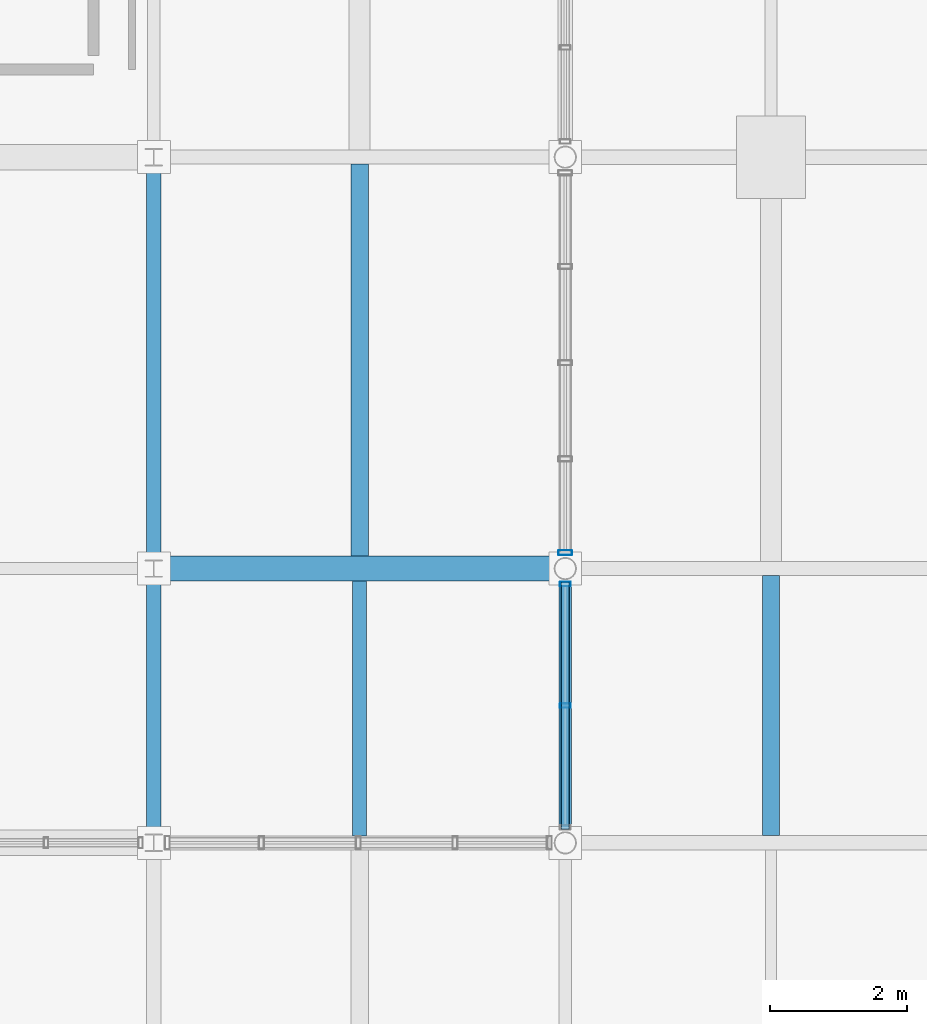
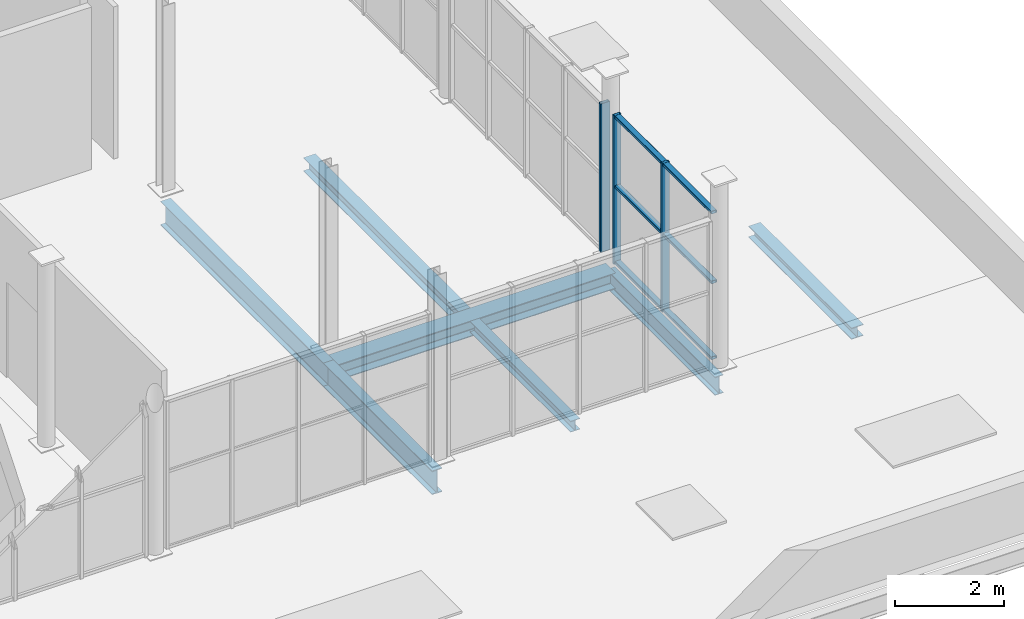
# One storey, part 9 of 27: 7 beams, 6 members, 2 elements without a shape of their own.
"""IFC4 building model written with IfcOpenShell, lengths in metres."""

from ifc_helpers import new_model, si_unit, direction, frame, origin, origin_2d, place, context, subcontext, project, spatial, hollow_rectangle, i_section, extrude, material, material_profile, profile_set, type_object, element, aggregate, save


model = new_model("IFC4")

# Units and contexts
model_context = context("Model", 3, precision=1e-05, world=origin(), true_north=direction((0.0, 1.0)))
body_context = subcontext(model_context, "Body", "Model", "MODEL_VIEW")
ifc_project = project(units=[si_unit("LENGTHUNIT", "METRE"), si_unit("AREAUNIT", "SQUARE_METRE"), si_unit("VOLUMEUNIT", "CUBIC_METRE"), si_unit("PLANEANGLEUNIT", "RADIAN"), si_unit("MASSUNIT", "GRAM", prefix="KILO")], contexts=[model_context])

# Site, building, storey
site_placement = place(None, origin())
site = spatial("IfcSite", under=ifc_project, at=site_placement, CompositionType="ELEMENT")
building_placement = place(site_placement, origin())
building = spatial("IfcBuilding", under=site, at=building_placement, Name="Verrall Gate Interchange", CompositionType="ELEMENT")
storey_placement = place(building_placement, frame((0.0, 0.0, 28.60009765625)))
storey = spatial("IfcBuildingStorey", under=building, at=storey_placement, Name="L07", CompositionType="ELEMENT", Elevation=28.60009765625)

# Beams
ifc_material_1 = material(Name="Structural Steel CSA G40.21 350W", Category="steel")
ifc_material_profile_1 = material_profile(ifc_material_1, i_section(OverallWidth=0.2109375, OverallDepth=0.5390625, WebThickness=0.01171875, FlangeThickness=0.018798828125, FilletRadius=0.013916015625, at=origin_2d()), Name="W530x109")
ifc_profile_set_1 = profile_set([ifc_material_profile_1], Name="Structural Steel CSA G40.21 350W")
beam_type_1 = type_object("IfcBeamType", Name="B-10 Structural Beam W530x109", PredefinedType="BEAM", material=ifc_profile_set_1)
beam_1_placement = place(storey_placement, frame((24.0, 12.0, -0.529541015625), z_axis=(0.0, 1.0, 0.0), x_axis=(-1.0, 0.0, 0.0)))
element("IfcBeam", 1, at=beam_1_placement, inside=storey, type_object=beam_type_1, Name="L07 Girder BM-L07-3292 (B-10)", PredefinedType="BEAM", context=body_context, shape_type="SweptSolid", body=[
    extrude(i_section(OverallWidth=0.2109375, OverallDepth=0.5390625, WebThickness=0.01171875, FlangeThickness=0.018798828125, FilletRadius=0.013916015625, at=origin_2d()), origin(), (0.0, 0.0, 1.0), 4.0),
])
beam_2_placement = place(storey_placement, frame((24.0, 16.0, -0.529541015625), z_axis=(0.0, 1.0, 0.0), x_axis=(-1.0, 0.0, 0.0)))
element("IfcBeam", 2, at=beam_2_placement, inside=storey, type_object=beam_type_1, Name="L07 Girder BM-L07-3293 (B-10)", PredefinedType="BEAM", context=body_context, shape_type="SweptSolid", body=[
    extrude(i_section(OverallWidth=0.2109375, OverallDepth=0.5390625, WebThickness=0.01171875, FlangeThickness=0.018798828125, FilletRadius=0.013916015625, at=origin_2d()), origin(), (0.0, 0.0, 1.0), 6.0),
])
ifc_material_2 = material(Name="Structural Steel CSA G40.21 350W", Category="steel")
ifc_material_profile_2 = material_profile(ifc_material_2, i_section(OverallWidth=0.178955078125, OverallDepth=0.409912109375, WebThickness=0.0087890625, FlangeThickness=0.014404296875, FilletRadius=0.011962890625, at=origin_2d()), Name="W410x67")
ifc_profile_set_2 = profile_set([ifc_material_profile_2], Name="Structural Steel CSA G40.21 350W")
beam_type_2 = type_object("IfcBeamType", Name="B-12 Structural Beam W410x67", PredefinedType="BEAM", material=ifc_profile_set_2)
beam_3_placement = place(storey_placement, frame((30.0, 12.0, -0.465087890625), z_axis=(0.0, 1.0, 0.0), x_axis=(-1.0, 0.0, 0.0)))
element("IfcBeam", 3, at=beam_3_placement, inside=storey, type_object=beam_type_2, Name="L07 Girder BM-L07-3301 (B-12)", PredefinedType="BEAM", context=body_context, shape_type="SweptSolid", body=[
    extrude(i_section(OverallWidth=0.178955078125, OverallDepth=0.409912109375, WebThickness=0.0087890625, FlangeThickness=0.014404296875, FilletRadius=0.011962890625, at=origin_2d()), origin(), (0.0, 0.0, 1.0), 4.0),
])
ifc_material_3 = material(Name="Structural Steel CSA G40.21 350W", Category="steel")
ifc_material_profile_3 = material_profile(ifc_material_3, i_section(OverallWidth=0.368896484375, OverallDepth=0.35595703125, WebThickness=0.01123046875, FlangeThickness=0.01806640625, FilletRadius=0.014892578125, at=origin_2d()), Name="W360x134")
ifc_profile_set_3 = profile_set([ifc_material_profile_3], Name="Structural Steel CSA G40.21 350W")
beam_type_3 = type_object("IfcBeamType", Name="B-13 Structural Beam W360x134", PredefinedType="BEAM", material=ifc_profile_set_3)
beam_4_placement = place(storey_placement, frame((24.0, 16.0, -0.43798828125), z_axis=(1.0, 0.0, 0.0), x_axis=(0.0, 1.0, 0.0)))
element("IfcBeam", 4, at=beam_4_placement, inside=storey, type_object=beam_type_3, Name="L07 Girder BM-L07-3233 (B-13)", PredefinedType="BEAM", context=body_context, shape_type="SweptSolid", body=[
    extrude(i_section(OverallWidth=0.368896484375, OverallDepth=0.35595703125, WebThickness=0.01123046875, FlangeThickness=0.01806640625, FilletRadius=0.014892578125, at=origin_2d()), origin(), (0.0, 0.0, 1.0), 6.0),
])

# Curtain wall, members
ifc_material_4 = material(Name="Thermally Broken Anodized Aluminium Curtain Wall Framing", Category="aluminium")
curtain_wall_type_1 = type_object("IfcCurtainWallType", Name="CW-51 Unitized Curtain Wall 3612x3340", PredefinedType="NOTDEFINED", material=ifc_material_4)
curtain_wall_1_placement = place(storey_placement, origin())
curtain_wall_1 = element("IfcCurtainWall", 5, at=curtain_wall_1_placement, inside=storey, type_object=curtain_wall_type_1, Name="L07 Unitized Curtain Wall CW-L07-156", PredefinedType="NOTDEFINED")
ifc_material_5 = material(Name="Thermally Broken Anodized Aluminium Curtain Wall Framing", Category="aluminium")
ifc_material_profile_4 = material_profile(ifc_material_5, hollow_rectangle(XDim=0.06494140625, YDim=0.159912109375, WallThickness=0.00390625, InnerFilletRadius=0.00390625, OuterFilletRadius=0.008056640625, at=origin_2d()), Name="CWM160x65x4")
ifc_profile_set_4 = profile_set([ifc_material_profile_4], Name="Thermally Broken Anodized Aluminium Curtain Wall Framing")
member_type_1 = type_object("IfcMemberType", Name="CM-01 Curtain Mullion CWM160x65x4", PredefinedType="MULLION", material=ifc_profile_set_4)
member_1_placement = place(storey_placement, frame((30.0, 14.0, 0.0), z_axis=(0.0, 0.0, 1.0), x_axis=(0.0, 1.0, 0.0)))
member_1 = element("IfcMember", 6, at=member_1_placement, type_object=member_type_1, Name="CW-L07-156 Mullion 2", PredefinedType="MULLION", context=body_context, shape_type="SweptSolid", body=[
    extrude(hollow_rectangle(XDim=0.06494140625, YDim=0.159912109375, WallThickness=0.00390625, InnerFilletRadius=0.00390625, OuterFilletRadius=0.008056640625, at=origin_2d()), origin(), (0.0, 0.0, 1.0), 3.33984375),
])
member_2_placement = place(storey_placement, frame((30.0, 15.773681640625, 0.0), z_axis=(0.0, 0.0, 1.0), x_axis=(0.0, 1.0, 0.0)))
member_2 = element("IfcMember", 7, at=member_2_placement, type_object=member_type_1, Name="CW-L07-156 Mullion 3", PredefinedType="MULLION", context=body_context, shape_type="SweptSolid", body=[
    extrude(hollow_rectangle(XDim=0.06494140625, YDim=0.159912109375, WallThickness=0.00390625, InnerFilletRadius=0.00390625, OuterFilletRadius=0.008056640625, at=origin_2d()), origin(), (0.0, 0.0, 1.0), 3.33984375),
])

# Curtain wall, member
ifc_material_6 = material(Name="Thermally Broken Anodized Aluminium Curtain Wall Framing", Category="aluminium")
curtain_wall_type_2 = type_object("IfcCurtainWallType", Name="CW-43 Unitized Curtain Wall 5612x3310", PredefinedType="NOTDEFINED", material=ifc_material_6)
curtain_wall_2_placement = place(storey_placement, origin())
curtain_wall_2 = element("IfcCurtainWall", 8, at=curtain_wall_2_placement, inside=storey, type_object=curtain_wall_type_2, Name="L07 Unitized Curtain Wall CW-L07-157", PredefinedType="NOTDEFINED")
ifc_material_7 = material(Name="Thermally Broken Anodized Aluminium Curtain Wall Framing", Category="aluminium")
ifc_material_profile_5 = material_profile(ifc_material_7, hollow_rectangle(XDim=0.074951171875, YDim=0.199951171875, WallThickness=0.0048828125, InnerFilletRadius=0.0048828125, OuterFilletRadius=0.010009765625, at=origin_2d()), Name="CWM200x75x5")
ifc_profile_set_5 = profile_set([ifc_material_profile_5], Name="Thermally Broken Anodized Aluminium Curtain Wall Framing")
member_type_2 = type_object("IfcMemberType", Name="CM-02 Curtain Mullion CWM200x75x5", PredefinedType="MULLION", material=ifc_profile_set_5)
member_3_placement = place(storey_placement, frame((30.0, 16.2314453125, 0.0), z_axis=(0.0, 0.0, 1.0), x_axis=(0.0, 1.0, 0.0)))
member_3 = element("IfcMember", 9, at=member_3_placement, type_object=member_type_2, Name="CW-L07-157 Mullion 1", PredefinedType="MULLION", context=body_context, shape_type="SweptSolid", body=[
    extrude(hollow_rectangle(XDim=0.074951171875, YDim=0.199951171875, WallThickness=0.0048828125, InnerFilletRadius=0.0048828125, OuterFilletRadius=0.010009765625, at=origin_2d()), origin(), (0.0, 0.0, 1.0), 3.33984375),
])
aggregate(curtain_wall_2, [member_3])

# Member
ifc_material_8 = material(Name="Thermally Broken Anodized Aluminium Curtain Wall Framing", Category="aluminium")
ifc_material_profile_6 = material_profile(ifc_material_8, hollow_rectangle(XDim=0.1201171875, YDim=0.06494140625, WallThickness=0.00390625, InnerFilletRadius=0.00390625, OuterFilletRadius=0.008056640625, at=origin_2d()), Name="CWT120x65x4")
ifc_profile_set_6 = profile_set([ifc_material_profile_6], Name="Thermally Broken Anodized Aluminium Curtain Wall Framing")
member_type_3 = type_object("IfcMemberType", Name="CT-01 Curtain Transom CWT120x65x4", PredefinedType="USERDEFINED", material=ifc_profile_set_6)
member_4_placement = place(storey_placement, frame((30.0, 12.19384765625, 0.032470703125), z_axis=(0.0, 1.0, 0.0), x_axis=(-1.0, 0.0, 0.0)))
member_4 = element("IfcMember", 10, at=member_4_placement, type_object=member_type_3, Name="CW-L07-156 Transom 1", ObjectType="TRANSOM", PredefinedType="USERDEFINED", context=body_context, shape_type="SweptSolid", body=[
    extrude(hollow_rectangle(XDim=0.1201171875, YDim=0.06494140625, WallThickness=0.00390625, InnerFilletRadius=0.00390625, OuterFilletRadius=0.008056640625, at=origin_2d()), origin(), (0.0, 0.0, 1.0), 3.6123046875),
])

member_5_placement = place(storey_placement, frame((30.0, 12.19384765625, 1.73681640625), z_axis=(0.0, 1.0, 0.0), x_axis=(-1.0, 0.0, 0.0)))
member_5 = element("IfcMember", 11, at=member_5_placement, type_object=member_type_3, Name="CW-L07-156 Transom 2", ObjectType="TRANSOM", PredefinedType="USERDEFINED", context=body_context, shape_type="SweptSolid", body=[
    extrude(hollow_rectangle(XDim=0.1201171875, YDim=0.06494140625, WallThickness=0.00390625, InnerFilletRadius=0.00390625, OuterFilletRadius=0.008056640625, at=origin_2d()), origin(), (0.0, 0.0, 1.0), 3.6123046875),
])

member_6_placement = place(storey_placement, frame((30.0, 12.19384765625, 3.307373046875), z_axis=(0.0, 1.0, 0.0), x_axis=(-1.0, 0.0, 0.0)))
member_6 = element("IfcMember", 12, at=member_6_placement, type_object=member_type_3, Name="CW-L07-156 Transom 3", ObjectType="TRANSOM", PredefinedType="USERDEFINED", context=body_context, shape_type="SweptSolid", body=[
    extrude(hollow_rectangle(XDim=0.1201171875, YDim=0.06494140625, WallThickness=0.00390625, InnerFilletRadius=0.00390625, OuterFilletRadius=0.008056640625, at=origin_2d()), origin(), (0.0, 0.0, 1.0), 3.6123046875),
])

aggregate(curtain_wall_1, [member_1, member_2, member_4, member_5, member_6])

# Beams
ifc_material_9 = material(Name="Structural Steel CSA G40.21 350W", Category="steel")
ifc_material_profile_7 = material_profile(ifc_material_9, i_section(OverallWidth=0.25390625, OverallDepth=0.305908203125, WebThickness=0.0087890625, FlangeThickness=0.0146484375, FilletRadius=0.012939453125, at=origin_2d()), Name="W310x79")
ifc_profile_set_7 = profile_set([ifc_material_profile_7], Name="Structural Steel CSA G40.21 350W")
beam_type_4 = type_object("IfcBeamType", Name="J-03 Floor Joist W310x79", PredefinedType="JOIST", material=ifc_profile_set_7)
beam_5_placement = place(storey_placement, frame((27.0, 16.1845703125, -0.4130859375), z_axis=(0.0, 1.0, 0.0), x_axis=(-1.0, 0.0, 0.0)))
element("IfcBeam", 13, at=beam_5_placement, inside=storey, type_object=beam_type_4, Name="L07 Secondary Floor Joist JST-L07-3327", PredefinedType="JOIST", context=body_context, shape_type="SweptSolid", body=[
    extrude(i_section(OverallWidth=0.25390625, OverallDepth=0.305908203125, WebThickness=0.0087890625, FlangeThickness=0.0146484375, FilletRadius=0.012939453125, at=origin_2d()), origin(), (0.0, 0.0, 1.0), 5.712890625),
])
ifc_material_10 = material(Name="Structural Steel CSA G40.21 350W", Category="steel")
ifc_material_profile_8 = material_profile(ifc_material_10, i_section(OverallWidth=0.25390625, OverallDepth=0.2529296875, WebThickness=0.008544921875, FlangeThickness=0.01416015625, FilletRadius=0.011962890625, at=origin_2d()), Name="W250x73")
ifc_profile_set_8 = profile_set([ifc_material_profile_8], Name="Structural Steel CSA G40.21 350W")
beam_type_5 = type_object("IfcBeamType", Name="J-05 Floor Joist W250x73", PredefinedType="JOIST", material=ifc_profile_set_8)
beam_6_placement = place(storey_placement, frame((33.0, 12.10546875, -0.38671875), z_axis=(0.0, 1.0, 0.0), x_axis=(-1.0, 0.0, 0.0)))
element("IfcBeam", 14, at=beam_6_placement, inside=storey, type_object=beam_type_5, Name="L07 Secondary Floor Joist JST-L07-3325", PredefinedType="JOIST", context=body_context, shape_type="SweptSolid", body=[
    extrude(i_section(OverallWidth=0.25390625, OverallDepth=0.2529296875, WebThickness=0.008544921875, FlangeThickness=0.01416015625, FilletRadius=0.011962890625, at=origin_2d()), origin(), (0.0, 0.0, 1.0), 3.7919921875),
])
ifc_material_11 = material(Name="Structural Steel CSA G40.21 350W", Category="steel")
ifc_material_profile_9 = material_profile(ifc_material_11, i_section(OverallWidth=0.201904296875, OverallDepth=0.2470703125, WebThickness=0.00732421875, FlangeThickness=0.010986328125, FilletRadius=0.010986328125, at=origin_2d()), Name="W250x49")
ifc_profile_set_9 = profile_set([ifc_material_profile_9], Name="Structural Steel CSA G40.21 350W")
beam_type_6 = type_object("IfcBeamType", Name="J-06 Floor Joist W250x49", PredefinedType="JOIST", material=ifc_profile_set_9)
beam_7_placement = place(storey_placement, frame((27.0, 12.1025390625, -0.383544921875), z_axis=(0.0, 1.0, 0.0), x_axis=(-1.0, 0.0, 0.0)))
element("IfcBeam", 15, at=beam_7_placement, inside=storey, type_object=beam_type_6, Name="L07 Secondary Floor Joist JST-L07-3324", PredefinedType="JOIST", context=body_context, shape_type="SweptSolid", body=[
    extrude(i_section(OverallWidth=0.201904296875, OverallDepth=0.2470703125, WebThickness=0.00732421875, FlangeThickness=0.010986328125, FilletRadius=0.010986328125, at=origin_2d()), origin(), (0.0, 0.0, 1.0), 3.712890625),
])

save(model, "model.ifc")
